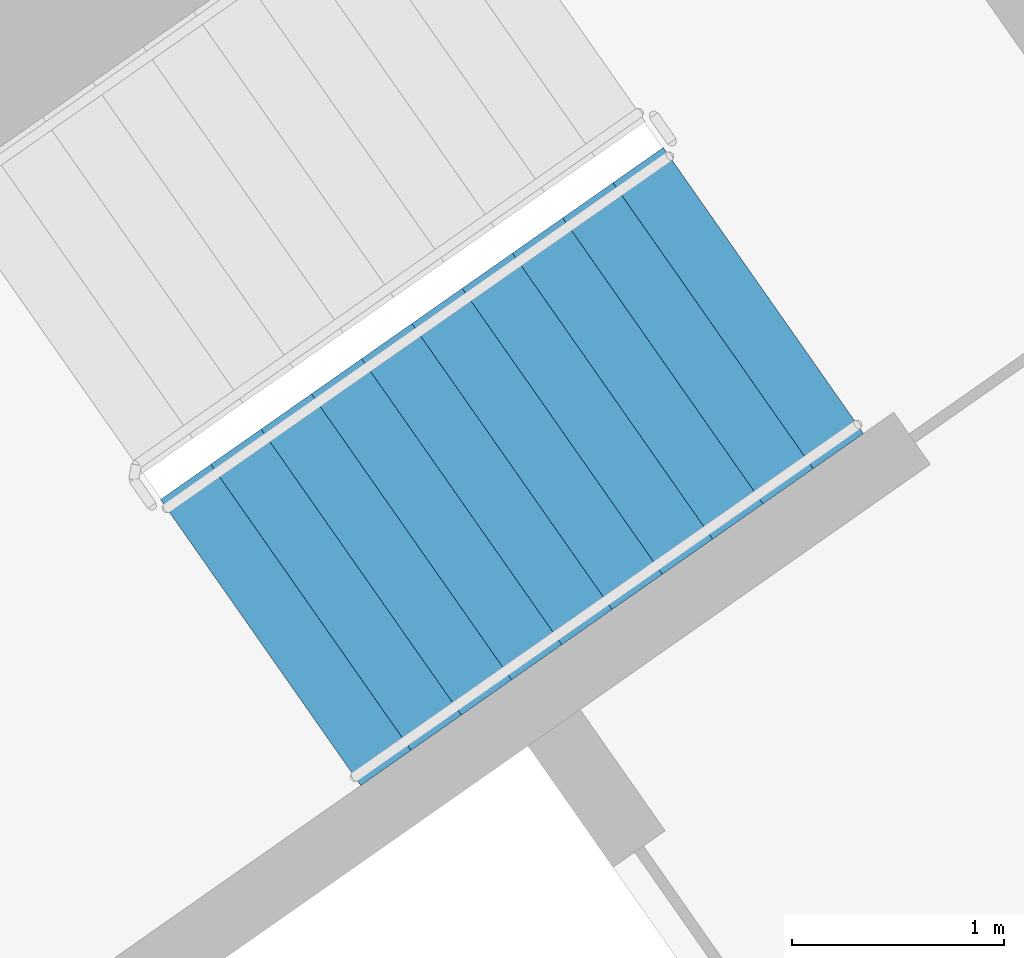
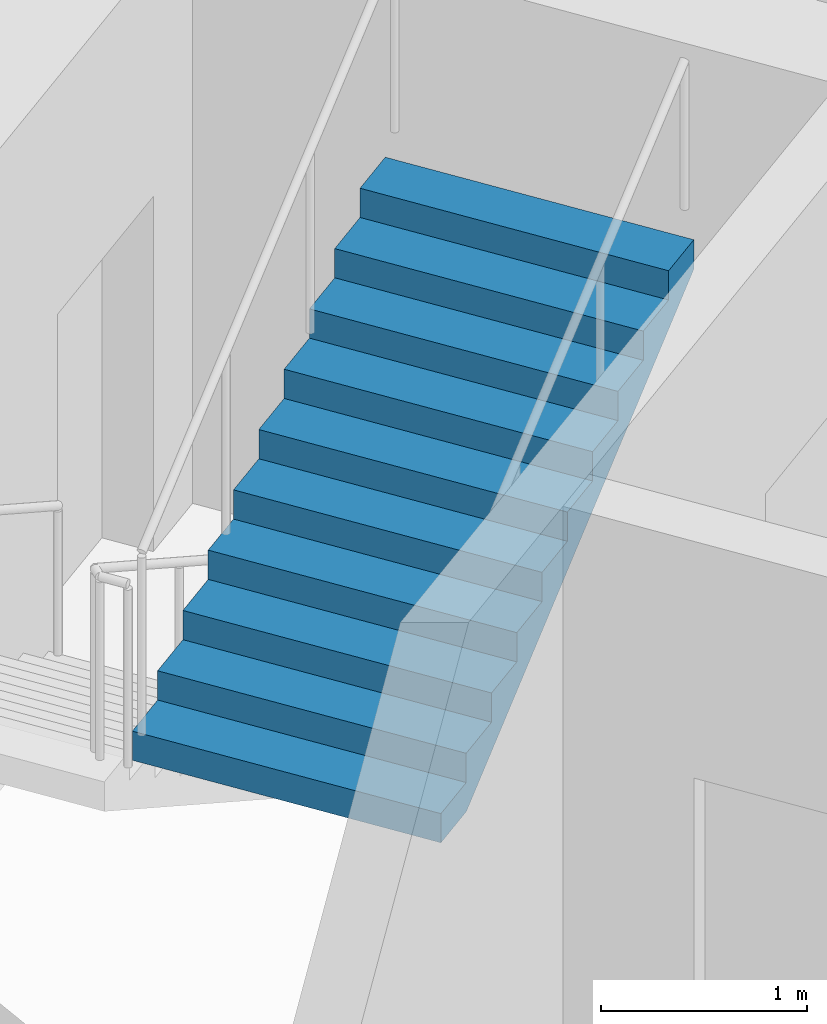
# One storey, part 15 of 27: 1 stair flight, 1 element without a shape of its own.
"""IFC4 building model written with IfcOpenShell, lengths in metres."""

from ifc_helpers import new_model, si_unit, direction, frame, origin, place, context, subcontext, project, spatial, faceted_brep, material, type_object, element, aggregate, save


model = new_model("IFC4")

# Units and contexts
model_context = context("Model", 3, precision=1e-05, world=origin(), true_north=direction((0.0, 1.0)))
body_context = subcontext(model_context, "Body", "Model", "MODEL_VIEW")
ifc_project = project(units=[si_unit("LENGTHUNIT", "METRE"), si_unit("AREAUNIT", "SQUARE_METRE"), si_unit("VOLUMEUNIT", "CUBIC_METRE"), si_unit("PLANEANGLEUNIT", "RADIAN"), si_unit("MASSUNIT", "GRAM", prefix="KILO")], contexts=[model_context])

# Site, building, storey
site_placement = place(None, origin())
site = spatial("IfcSite", under=ifc_project, at=site_placement, CompositionType="ELEMENT")
building_placement = place(site_placement, origin())
building = spatial("IfcBuilding", under=site, at=building_placement, Name="Qamariyya Broadcast Tower", CompositionType="ELEMENT")
storey_placement = place(building_placement, frame((0.0, 0.0, 191.10009765625)))
storey = spatial("IfcBuildingStorey", under=building, at=storey_placement, Name="L45", CompositionType="ELEMENT", Elevation=191.10009765625)

# Stair, stair flight
ifc_material = material(Name="Concrete C50/60", Category="concrete")
stair_type = type_object("IfcStairType", Name="Exit stair 22 risers of 173 mm", PredefinedType="HALF_TURN_STAIR", material=ifc_material)
stair_placement = place(storey_placement, origin())
stair = element("IfcStair", 1, at=stair_placement, inside=storey, type_object=stair_type, Name="L45 Stair E2", PredefinedType="HALF_TURN_STAIR")
stair_flight_type = type_object("IfcStairFlightType", Name="Exit stair flight 11 risers of 173 mm", PredefinedType="STRAIGHT", material=ifc_material)
stair_flight_placement = place(storey_placement, frame((39.215576171875, -50.822998046875, 1.89990234375), z_axis=(0.0, 0.0, 1.0), x_axis=(0.819152044289, 0.573576436351, 0.0)))
stair_flight = element("IfcStairFlight", 2, at=stair_flight_placement, type_object=stair_flight_type, Name="ST-E2 flight 2", NumberOfRisers=11, NumberOfTreads=10, PredefinedType="STRAIGHT", RiserHeight=0.172727273, TreadLength=0.29, context=body_context, shape_type="Brep", body=[
    faceted_brep([(0.0, 0.824951171875, 0.0), (0.0, 0.824951171875, 0.172607421875), (0.2900390625, 0.824951171875, 0.172607421875), (0.2900390625, 0.824951171875, 0.345458984375), (0.580078125, 0.824951171875, 0.345458984375), (0.580078125, 0.824951171875, 0.51806640625), (0.8701171875, 0.824951171875, 0.51806640625), (0.8701171875, 0.824951171875, 0.69091796875), (1.159912109375, 0.824951171875, 0.69091796875), (1.159912109375, 0.824951171875, 0.863525390625), (1.449951171875, 0.824951171875, 0.863525390625), (1.449951171875, 0.824951171875, 1.036376953125), (1.739990234375, 0.824951171875, 1.036376953125), (1.739990234375, 0.824951171875, 1.208984375), (2.030029296875, 0.824951171875, 1.208984375), (2.030029296875, 0.824951171875, 1.3818359375), (2.320068359375, 0.824951171875, 1.3818359375), (2.320068359375, 0.824951171875, 1.554443359375), (2.610107421875, 0.824951171875, 1.554443359375), (2.610107421875, 0.824951171875, 1.727294921875), (2.89990234375, 0.824951171875, 1.727294921875), (2.89990234375, 0.824951171875, 1.552734375), (0.29296875, 0.824951171875, 0.0), (0.29296875, -0.824951171875, 0.0), (2.89990234375, -0.824951171875, 1.552734375), (2.89990234375, -0.824951171875, 1.727294921875), (2.610107421875, -0.824951171875, 1.727294921875), (2.610107421875, -0.824951171875, 1.554443359375), (2.320068359375, -0.824951171875, 1.554443359375), (2.320068359375, -0.824951171875, 1.3818359375), (2.030029296875, -0.824951171875, 1.3818359375), (2.030029296875, -0.824951171875, 1.208984375), (1.739990234375, -0.824951171875, 1.208984375), (1.739990234375, -0.824951171875, 1.036376953125), (1.449951171875, -0.824951171875, 1.036376953125), (1.449951171875, -0.824951171875, 0.863525390625), (1.159912109375, -0.824951171875, 0.863525390625), (1.159912109375, -0.824951171875, 0.69091796875), (0.8701171875, -0.824951171875, 0.69091796875), (0.8701171875, -0.824951171875, 0.51806640625), (0.580078125, -0.824951171875, 0.51806640625), (0.580078125, -0.824951171875, 0.345458984375), (0.2900390625, -0.824951171875, 0.345458984375), (0.2900390625, -0.824951171875, 0.172607421875), (0.0, -0.824951171875, 0.172607421875), (0.0, -0.824951171875, 0.0), (0.0, 0.10009765625, 0.0), (0.0, 0.086669921875, 0.0), (0.0, 0.0732421875, 0.0), (0.0, 0.06005859375, 0.0), (0.0, 0.046630859375, 0.0), (0.0, 0.033447265625, 0.0), (0.0, 0.02001953125, 0.0), (0.0, 0.006591796875, 0.0), (0.0, -0.006591796875, 0.0), (0.0, -0.02001953125, 0.0), (0.0, -0.033447265625, 0.0), (0.0, -0.046630859375, 0.0), (0.0, -0.06005859375, 0.0), (0.0, -0.0732421875, 0.0), (0.0, -0.086669921875, 0.0), (0.0, -0.10009765625, 0.0), (0.0, -0.10009765625, 0.172607421875), (0.0, -0.086669921875, 0.172607421875), (0.0, -0.0732421875, 0.172607421875), (0.0, -0.06005859375, 0.172607421875), (0.0, -0.046630859375, 0.172607421875), (0.0, -0.033447265625, 0.172607421875), (0.0, -0.02001953125, 0.172607421875), (0.0, -0.006591796875, 0.172607421875), (0.0, 0.006591796875, 0.172607421875), (0.0, 0.02001953125, 0.172607421875), (0.0, 0.033447265625, 0.172607421875), (0.0, 0.046630859375, 0.172607421875), (0.0, 0.06005859375, 0.172607421875), (0.0, 0.0732421875, 0.172607421875), (0.0, 0.086669921875, 0.172607421875), (0.0, 0.10009765625, 0.172607421875), (0.2900390625, -0.10009765625, 0.172607421875), (0.2900390625, -0.086669921875, 0.172607421875), (0.2900390625, -0.0732421875, 0.172607421875), (0.2900390625, -0.06005859375, 0.172607421875), (0.2900390625, -0.046630859375, 0.172607421875), (0.2900390625, -0.033447265625, 0.172607421875), (0.2900390625, -0.02001953125, 0.172607421875), (0.2900390625, -0.006591796875, 0.172607421875), (0.2900390625, 0.006591796875, 0.172607421875), (0.2900390625, 0.02001953125, 0.172607421875), (0.2900390625, 0.033447265625, 0.172607421875), (0.2900390625, 0.046630859375, 0.172607421875), (0.2900390625, 0.06005859375, 0.172607421875), (0.2900390625, 0.0732421875, 0.172607421875), (0.2900390625, 0.086669921875, 0.172607421875), (0.2900390625, 0.10009765625, 0.172607421875), (0.2900390625, -0.10009765625, 0.345458984375), (0.2900390625, -0.086669921875, 0.345458984375), (0.2900390625, -0.0732421875, 0.345458984375), (0.2900390625, -0.06005859375, 0.345458984375), (0.2900390625, -0.046630859375, 0.345458984375), (0.2900390625, -0.033447265625, 0.345458984375), (0.2900390625, -0.02001953125, 0.345458984375), (0.2900390625, -0.006591796875, 0.345458984375), (0.2900390625, 0.006591796875, 0.345458984375), (0.2900390625, 0.02001953125, 0.345458984375), (0.2900390625, 0.033447265625, 0.345458984375), (0.2900390625, 0.046630859375, 0.345458984375), (0.2900390625, 0.06005859375, 0.345458984375), (0.2900390625, 0.0732421875, 0.345458984375), (0.2900390625, 0.086669921875, 0.345458984375), (0.2900390625, 0.10009765625, 0.345458984375), (0.580078125, -0.10009765625, 0.345458984375), (0.580078125, -0.086669921875, 0.345458984375), (0.580078125, -0.0732421875, 0.345458984375), (0.580078125, -0.06005859375, 0.345458984375), (0.580078125, -0.046630859375, 0.345458984375), (0.580078125, -0.033447265625, 0.345458984375), (0.580078125, -0.02001953125, 0.345458984375), (0.580078125, -0.006591796875, 0.345458984375), (0.580078125, 0.006591796875, 0.345458984375), (0.580078125, 0.02001953125, 0.345458984375), (0.580078125, 0.033447265625, 0.345458984375), (0.580078125, 0.046630859375, 0.345458984375), (0.580078125, 0.06005859375, 0.345458984375), (0.580078125, 0.0732421875, 0.345458984375), (0.580078125, 0.086669921875, 0.345458984375), (0.580078125, 0.10009765625, 0.345458984375), (0.580078125, -0.10009765625, 0.51806640625), (0.580078125, -0.086669921875, 0.51806640625), (0.580078125, -0.0732421875, 0.51806640625), (0.580078125, -0.06005859375, 0.51806640625), (0.580078125, -0.046630859375, 0.51806640625), (0.580078125, -0.033447265625, 0.51806640625), (0.580078125, -0.02001953125, 0.51806640625), (0.580078125, -0.006591796875, 0.51806640625), (0.580078125, 0.006591796875, 0.51806640625), (0.580078125, 0.02001953125, 0.51806640625), (0.580078125, 0.033447265625, 0.51806640625), (0.580078125, 0.046630859375, 0.51806640625), (0.580078125, 0.06005859375, 0.51806640625), (0.580078125, 0.0732421875, 0.51806640625), (0.580078125, 0.086669921875, 0.51806640625), (0.580078125, 0.10009765625, 0.51806640625), (0.8701171875, -0.10009765625, 0.51806640625), (0.8701171875, -0.086669921875, 0.51806640625), (0.8701171875, -0.0732421875, 0.51806640625), (0.8701171875, -0.06005859375, 0.51806640625), (0.8701171875, -0.046630859375, 0.51806640625), (0.8701171875, -0.033447265625, 0.51806640625), (0.8701171875, -0.02001953125, 0.51806640625), (0.8701171875, -0.006591796875, 0.51806640625), (0.8701171875, 0.006591796875, 0.51806640625), (0.8701171875, 0.02001953125, 0.51806640625), (0.8701171875, 0.033447265625, 0.51806640625), (0.8701171875, 0.046630859375, 0.51806640625), (0.8701171875, 0.06005859375, 0.51806640625), (0.8701171875, 0.0732421875, 0.51806640625), (0.8701171875, 0.086669921875, 0.51806640625), (0.8701171875, 0.10009765625, 0.51806640625), (0.8701171875, -0.10009765625, 0.69091796875), (0.8701171875, -0.086669921875, 0.69091796875), (0.8701171875, -0.0732421875, 0.69091796875), (0.8701171875, -0.06005859375, 0.69091796875), (0.8701171875, -0.046630859375, 0.69091796875), (0.8701171875, -0.033447265625, 0.69091796875), (0.8701171875, -0.02001953125, 0.69091796875), (0.8701171875, -0.006591796875, 0.69091796875), (0.8701171875, 0.006591796875, 0.69091796875), (0.8701171875, 0.02001953125, 0.69091796875), (0.8701171875, 0.033447265625, 0.69091796875), (0.8701171875, 0.046630859375, 0.69091796875), (0.8701171875, 0.06005859375, 0.69091796875), (0.8701171875, 0.0732421875, 0.69091796875), (0.8701171875, 0.086669921875, 0.69091796875), (0.8701171875, 0.10009765625, 0.69091796875), (1.159912109375, -0.10009765625, 0.69091796875), (1.159912109375, -0.086669921875, 0.69091796875), (1.159912109375, -0.0732421875, 0.69091796875), (1.159912109375, -0.06005859375, 0.69091796875), (1.159912109375, -0.046630859375, 0.69091796875), (1.159912109375, -0.033447265625, 0.69091796875), (1.159912109375, -0.02001953125, 0.69091796875), (1.159912109375, -0.006591796875, 0.69091796875), (1.159912109375, 0.006591796875, 0.69091796875), (1.159912109375, 0.02001953125, 0.69091796875), (1.159912109375, 0.033447265625, 0.69091796875), (1.159912109375, 0.046630859375, 0.69091796875), (1.159912109375, 0.06005859375, 0.69091796875), (1.159912109375, 0.0732421875, 0.69091796875), (1.159912109375, 0.086669921875, 0.69091796875), (1.159912109375, 0.10009765625, 0.69091796875), (1.159912109375, -0.10009765625, 0.863525390625), (1.159912109375, -0.086669921875, 0.863525390625), (1.159912109375, -0.0732421875, 0.863525390625), (1.159912109375, -0.06005859375, 0.863525390625), (1.159912109375, -0.046630859375, 0.863525390625), (1.159912109375, -0.033447265625, 0.863525390625), (1.159912109375, -0.02001953125, 0.863525390625), (1.159912109375, -0.006591796875, 0.863525390625), (1.159912109375, 0.006591796875, 0.863525390625), (1.159912109375, 0.02001953125, 0.863525390625), (1.159912109375, 0.033447265625, 0.863525390625), (1.159912109375, 0.046630859375, 0.863525390625), (1.159912109375, 0.06005859375, 0.863525390625), (1.159912109375, 0.0732421875, 0.863525390625), (1.159912109375, 0.086669921875, 0.863525390625), (1.159912109375, 0.10009765625, 0.863525390625), (1.449951171875, -0.10009765625, 0.863525390625), (1.449951171875, -0.086669921875, 0.863525390625), (1.449951171875, -0.0732421875, 0.863525390625), (1.449951171875, -0.06005859375, 0.863525390625), (1.449951171875, -0.046630859375, 0.863525390625), (1.449951171875, -0.033447265625, 0.863525390625), (1.449951171875, -0.02001953125, 0.863525390625), (1.449951171875, -0.006591796875, 0.863525390625), (1.449951171875, 0.006591796875, 0.863525390625), (1.449951171875, 0.02001953125, 0.863525390625), (1.449951171875, 0.033447265625, 0.863525390625), (1.449951171875, 0.046630859375, 0.863525390625), (1.449951171875, 0.06005859375, 0.863525390625), (1.449951171875, 0.0732421875, 0.863525390625), (1.449951171875, 0.086669921875, 0.863525390625), (1.449951171875, 0.10009765625, 0.863525390625), (1.449951171875, -0.10009765625, 1.036376953125), (1.449951171875, -0.086669921875, 1.036376953125), (1.449951171875, -0.0732421875, 1.036376953125), (1.449951171875, -0.06005859375, 1.036376953125), (1.449951171875, -0.046630859375, 1.036376953125), (1.449951171875, -0.033447265625, 1.036376953125), (1.449951171875, -0.02001953125, 1.036376953125), (1.449951171875, -0.006591796875, 1.036376953125), (1.449951171875, 0.006591796875, 1.036376953125), (1.449951171875, 0.02001953125, 1.036376953125), (1.449951171875, 0.033447265625, 1.036376953125), (1.449951171875, 0.046630859375, 1.036376953125), (1.449951171875, 0.06005859375, 1.036376953125), (1.449951171875, 0.0732421875, 1.036376953125), (1.449951171875, 0.086669921875, 1.036376953125), (1.449951171875, 0.10009765625, 1.036376953125), (1.739990234375, -0.10009765625, 1.036376953125), (1.739990234375, -0.086669921875, 1.036376953125), (1.739990234375, -0.0732421875, 1.036376953125), (1.739990234375, -0.06005859375, 1.036376953125), (1.739990234375, -0.046630859375, 1.036376953125), (1.739990234375, -0.033447265625, 1.036376953125), (1.739990234375, -0.02001953125, 1.036376953125), (1.739990234375, -0.006591796875, 1.036376953125), (1.739990234375, 0.006591796875, 1.036376953125), (1.739990234375, 0.02001953125, 1.036376953125), (1.739990234375, 0.033447265625, 1.036376953125), (1.739990234375, 0.046630859375, 1.036376953125), (1.739990234375, 0.06005859375, 1.036376953125), (1.739990234375, 0.0732421875, 1.036376953125), (1.739990234375, 0.086669921875, 1.036376953125), (1.739990234375, 0.10009765625, 1.036376953125), (1.739990234375, -0.10009765625, 1.208984375), (1.739990234375, -0.086669921875, 1.208984375), (1.739990234375, -0.0732421875, 1.208984375), (1.739990234375, -0.06005859375, 1.208984375), (1.739990234375, -0.046630859375, 1.208984375), (1.739990234375, -0.033447265625, 1.208984375), (1.739990234375, -0.02001953125, 1.208984375), (1.739990234375, -0.006591796875, 1.208984375), (1.739990234375, 0.006591796875, 1.208984375), (1.739990234375, 0.02001953125, 1.208984375), (1.739990234375, 0.033447265625, 1.208984375), (1.739990234375, 0.046630859375, 1.208984375), (1.739990234375, 0.06005859375, 1.208984375), (1.739990234375, 0.0732421875, 1.208984375), (1.739990234375, 0.086669921875, 1.208984375), (1.739990234375, 0.10009765625, 1.208984375), (2.030029296875, -0.10009765625, 1.208984375), (2.030029296875, -0.086669921875, 1.208984375), (2.030029296875, -0.0732421875, 1.208984375), (2.030029296875, -0.06005859375, 1.208984375), (2.030029296875, -0.046630859375, 1.208984375), (2.030029296875, -0.033447265625, 1.208984375), (2.030029296875, -0.02001953125, 1.208984375), (2.030029296875, -0.006591796875, 1.208984375), (2.030029296875, 0.006591796875, 1.208984375), (2.030029296875, 0.02001953125, 1.208984375), (2.030029296875, 0.033447265625, 1.208984375), (2.030029296875, 0.046630859375, 1.208984375), (2.030029296875, 0.06005859375, 1.208984375), (2.030029296875, 0.0732421875, 1.208984375), (2.030029296875, 0.086669921875, 1.208984375), (2.030029296875, 0.10009765625, 1.208984375), (2.030029296875, -0.10009765625, 1.3818359375), (2.030029296875, -0.086669921875, 1.3818359375), (2.030029296875, -0.0732421875, 1.3818359375), (2.030029296875, -0.06005859375, 1.3818359375), (2.030029296875, -0.046630859375, 1.3818359375), (2.030029296875, -0.033447265625, 1.3818359375), (2.030029296875, -0.02001953125, 1.3818359375), (2.030029296875, -0.006591796875, 1.3818359375), (2.030029296875, 0.006591796875, 1.3818359375), (2.030029296875, 0.02001953125, 1.3818359375), (2.030029296875, 0.033447265625, 1.3818359375), (2.030029296875, 0.046630859375, 1.3818359375), (2.030029296875, 0.06005859375, 1.3818359375), (2.030029296875, 0.0732421875, 1.3818359375), (2.030029296875, 0.086669921875, 1.3818359375), (2.030029296875, 0.10009765625, 1.3818359375), (2.320068359375, -0.10009765625, 1.3818359375), (2.320068359375, -0.086669921875, 1.3818359375), (2.320068359375, -0.0732421875, 1.3818359375), (2.320068359375, -0.06005859375, 1.3818359375), (2.320068359375, -0.046630859375, 1.3818359375), (2.320068359375, -0.033447265625, 1.3818359375), (2.320068359375, -0.02001953125, 1.3818359375), (2.320068359375, -0.006591796875, 1.3818359375), (2.320068359375, 0.006591796875, 1.3818359375), (2.320068359375, 0.02001953125, 1.3818359375), (2.320068359375, 0.033447265625, 1.3818359375), (2.320068359375, 0.046630859375, 1.3818359375), (2.320068359375, 0.06005859375, 1.3818359375), (2.320068359375, 0.0732421875, 1.3818359375), (2.320068359375, 0.086669921875, 1.3818359375), (2.320068359375, 0.10009765625, 1.3818359375), (2.320068359375, -0.10009765625, 1.554443359375), (2.320068359375, -0.086669921875, 1.554443359375), (2.320068359375, -0.0732421875, 1.554443359375), (2.320068359375, -0.06005859375, 1.554443359375), (2.320068359375, -0.046630859375, 1.554443359375), (2.320068359375, -0.033447265625, 1.554443359375), (2.320068359375, -0.02001953125, 1.554443359375), (2.320068359375, -0.006591796875, 1.554443359375), (2.320068359375, 0.006591796875, 1.554443359375), (2.320068359375, 0.02001953125, 1.554443359375), (2.320068359375, 0.033447265625, 1.554443359375), (2.320068359375, 0.046630859375, 1.554443359375), (2.320068359375, 0.06005859375, 1.554443359375), (2.320068359375, 0.0732421875, 1.554443359375), (2.320068359375, 0.086669921875, 1.554443359375), (2.320068359375, 0.10009765625, 1.554443359375), (2.610107421875, -0.10009765625, 1.554443359375), (2.610107421875, -0.086669921875, 1.554443359375), (2.610107421875, -0.0732421875, 1.554443359375), (2.610107421875, -0.06005859375, 1.554443359375), (2.610107421875, -0.046630859375, 1.554443359375), (2.610107421875, -0.033447265625, 1.554443359375), (2.610107421875, -0.02001953125, 1.554443359375), (2.610107421875, -0.006591796875, 1.554443359375), (2.610107421875, 0.006591796875, 1.554443359375), (2.610107421875, 0.02001953125, 1.554443359375), (2.610107421875, 0.033447265625, 1.554443359375), (2.610107421875, 0.046630859375, 1.554443359375), (2.610107421875, 0.06005859375, 1.554443359375), (2.610107421875, 0.0732421875, 1.554443359375), (2.610107421875, 0.086669921875, 1.554443359375), (2.610107421875, 0.10009765625, 1.554443359375), (2.610107421875, -0.10009765625, 1.727294921875), (2.610107421875, -0.086669921875, 1.727294921875), (2.610107421875, -0.0732421875, 1.727294921875), (2.610107421875, -0.06005859375, 1.727294921875), (2.610107421875, -0.046630859375, 1.727294921875), (2.610107421875, -0.033447265625, 1.727294921875), (2.610107421875, -0.02001953125, 1.727294921875), (2.610107421875, -0.006591796875, 1.727294921875), (2.610107421875, 0.006591796875, 1.727294921875), (2.610107421875, 0.02001953125, 1.727294921875), (2.610107421875, 0.033447265625, 1.727294921875), (2.610107421875, 0.046630859375, 1.727294921875), (2.610107421875, 0.06005859375, 1.727294921875), (2.610107421875, 0.0732421875, 1.727294921875), (2.610107421875, 0.086669921875, 1.727294921875), (2.610107421875, 0.10009765625, 1.727294921875), (2.89990234375, -0.10009765625, 1.727294921875), (2.89990234375, -0.086669921875, 1.727294921875), (2.89990234375, -0.0732421875, 1.727294921875), (2.89990234375, -0.06005859375, 1.727294921875), (2.89990234375, -0.046630859375, 1.727294921875), (2.89990234375, -0.033447265625, 1.727294921875), (2.89990234375, -0.02001953125, 1.727294921875), (2.89990234375, -0.006591796875, 1.727294921875), (2.89990234375, 0.006591796875, 1.727294921875), (2.89990234375, 0.02001953125, 1.727294921875), (2.89990234375, 0.033447265625, 1.727294921875), (2.89990234375, 0.046630859375, 1.727294921875), (2.89990234375, 0.06005859375, 1.727294921875), (2.89990234375, 0.0732421875, 1.727294921875), (2.89990234375, 0.086669921875, 1.727294921875), (2.89990234375, 0.10009765625, 1.727294921875), (2.89990234375, -0.10009765625, 1.552734375), (2.89990234375, -0.086669921875, 1.552734375), (2.89990234375, -0.0732421875, 1.552734375), (2.89990234375, -0.06005859375, 1.552734375), (2.89990234375, -0.046630859375, 1.552734375), (2.89990234375, -0.033447265625, 1.552734375), (2.89990234375, -0.02001953125, 1.552734375), (2.89990234375, -0.006591796875, 1.552734375), (2.89990234375, 0.006591796875, 1.552734375), (2.89990234375, 0.02001953125, 1.552734375), (2.89990234375, 0.033447265625, 1.552734375), (2.89990234375, 0.046630859375, 1.552734375), (2.89990234375, 0.06005859375, 1.552734375), (2.89990234375, 0.0732421875, 1.552734375), (2.89990234375, 0.086669921875, 1.552734375), (2.89990234375, 0.10009765625, 1.552734375), (0.29296875, -0.10009765625, 0.0), (0.29296875, -0.086669921875, 0.0), (0.29296875, -0.0732421875, 0.0), (0.29296875, -0.06005859375, 0.0), (0.29296875, -0.046630859375, 0.0), (0.29296875, -0.033447265625, 0.0), (0.29296875, -0.02001953125, 0.0), (0.29296875, -0.006591796875, 0.0), (0.29296875, 0.006591796875, 0.0), (0.29296875, 0.02001953125, 0.0), (0.29296875, 0.033447265625, 0.0), (0.29296875, 0.046630859375, 0.0), (0.29296875, 0.06005859375, 0.0), (0.29296875, 0.0732421875, 0.0), (0.29296875, 0.086669921875, 0.0), (0.29296875, 0.10009765625, 0.0)], [[[0, 1, 2, 3, 4, 5, 6, 7, 8, 9, 10, 11, 12, 13, 14, 15, 16, 17, 18, 19, 20, 21, 22]], [[23, 24, 25, 26, 27, 28, 29, 30, 31, 32, 33, 34, 35, 36, 37, 38, 39, 40, 41, 42, 43, 44, 45]], [[0, 46, 47, 48, 49, 50, 51, 52, 53, 54, 55, 56, 57, 58, 59, 60, 61, 45, 44, 62, 63, 64, 65, 66, 67, 68, 69, 70, 71, 72, 73, 74, 75, 76, 77, 1]], [[1, 77, 76, 75, 74, 73, 72, 71, 70, 69, 68, 67, 66, 65, 64, 63, 62, 44, 43, 78, 79, 80, 81, 82, 83, 84, 85, 86, 87, 88, 89, 90, 91, 92, 93, 2]], [[2, 93, 92, 91, 90, 89, 88, 87, 86, 85, 84, 83, 82, 81, 80, 79, 78, 43, 42, 94, 95, 96, 97, 98, 99, 100, 101, 102, 103, 104, 105, 106, 107, 108, 109, 3]], [[3, 109, 108, 107, 106, 105, 104, 103, 102, 101, 100, 99, 98, 97, 96, 95, 94, 42, 41, 110, 111, 112, 113, 114, 115, 116, 117, 118, 119, 120, 121, 122, 123, 124, 125, 4]], [[4, 125, 124, 123, 122, 121, 120, 119, 118, 117, 116, 115, 114, 113, 112, 111, 110, 41, 40, 126, 127, 128, 129, 130, 131, 132, 133, 134, 135, 136, 137, 138, 139, 140, 141, 5]], [[5, 141, 140, 139, 138, 137, 136, 135, 134, 133, 132, 131, 130, 129, 128, 127, 126, 40, 39, 142, 143, 144, 145, 146, 147, 148, 149, 150, 151, 152, 153, 154, 155, 156, 157, 6]], [[6, 157, 156, 155, 154, 153, 152, 151, 150, 149, 148, 147, 146, 145, 144, 143, 142, 39, 38, 158, 159, 160, 161, 162, 163, 164, 165, 166, 167, 168, 169, 170, 171, 172, 173, 7]], [[7, 173, 172, 171, 170, 169, 168, 167, 166, 165, 164, 163, 162, 161, 160, 159, 158, 38, 37, 174, 175, 176, 177, 178, 179, 180, 181, 182, 183, 184, 185, 186, 187, 188, 189, 8]], [[8, 189, 188, 187, 186, 185, 184, 183, 182, 181, 180, 179, 178, 177, 176, 175, 174, 37, 36, 190, 191, 192, 193, 194, 195, 196, 197, 198, 199, 200, 201, 202, 203, 204, 205, 9]], [[9, 205, 204, 203, 202, 201, 200, 199, 198, 197, 196, 195, 194, 193, 192, 191, 190, 36, 35, 206, 207, 208, 209, 210, 211, 212, 213, 214, 215, 216, 217, 218, 219, 220, 221, 10]], [[10, 221, 220, 219, 218, 217, 216, 215, 214, 213, 212, 211, 210, 209, 208, 207, 206, 35, 34, 222, 223, 224, 225, 226, 227, 228, 229, 230, 231, 232, 233, 234, 235, 236, 237, 11]], [[11, 237, 236, 235, 234, 233, 232, 231, 230, 229, 228, 227, 226, 225, 224, 223, 222, 34, 33, 238, 239, 240, 241, 242, 243, 244, 245, 246, 247, 248, 249, 250, 251, 252, 253, 12]], [[12, 253, 252, 251, 250, 249, 248, 247, 246, 245, 244, 243, 242, 241, 240, 239, 238, 33, 32, 254, 255, 256, 257, 258, 259, 260, 261, 262, 263, 264, 265, 266, 267, 268, 269, 13]], [[13, 269, 268, 267, 266, 265, 264, 263, 262, 261, 260, 259, 258, 257, 256, 255, 254, 32, 31, 270, 271, 272, 273, 274, 275, 276, 277, 278, 279, 280, 281, 282, 283, 284, 285, 14]], [[14, 285, 284, 283, 282, 281, 280, 279, 278, 277, 276, 275, 274, 273, 272, 271, 270, 31, 30, 286, 287, 288, 289, 290, 291, 292, 293, 294, 295, 296, 297, 298, 299, 300, 301, 15]], [[15, 301, 300, 299, 298, 297, 296, 295, 294, 293, 292, 291, 290, 289, 288, 287, 286, 30, 29, 302, 303, 304, 305, 306, 307, 308, 309, 310, 311, 312, 313, 314, 315, 316, 317, 16]], [[16, 317, 316, 315, 314, 313, 312, 311, 310, 309, 308, 307, 306, 305, 304, 303, 302, 29, 28, 318, 319, 320, 321, 322, 323, 324, 325, 326, 327, 328, 329, 330, 331, 332, 333, 17]], [[17, 333, 332, 331, 330, 329, 328, 327, 326, 325, 324, 323, 322, 321, 320, 319, 318, 28, 27, 334, 335, 336, 337, 338, 339, 340, 341, 342, 343, 344, 345, 346, 347, 348, 349, 18]], [[18, 349, 348, 347, 346, 345, 344, 343, 342, 341, 340, 339, 338, 337, 336, 335, 334, 27, 26, 350, 351, 352, 353, 354, 355, 356, 357, 358, 359, 360, 361, 362, 363, 364, 365, 19]], [[19, 365, 364, 363, 362, 361, 360, 359, 358, 357, 356, 355, 354, 353, 352, 351, 350, 26, 25, 366, 367, 368, 369, 370, 371, 372, 373, 374, 375, 376, 377, 378, 379, 380, 381, 20]], [[20, 381, 380, 379, 378, 377, 376, 375, 374, 373, 372, 371, 370, 369, 368, 367, 366, 25, 24, 382, 383, 384, 385, 386, 387, 388, 389, 390, 391, 392, 393, 394, 395, 396, 397, 21]], [[21, 397, 396, 395, 394, 393, 392, 391, 390, 389, 388, 387, 386, 385, 384, 383, 382, 24, 23, 398, 399, 400, 401, 402, 403, 404, 405, 406, 407, 408, 409, 410, 411, 412, 413, 22]], [[22, 413, 412, 411, 410, 409, 408, 407, 406, 405, 404, 403, 402, 401, 400, 399, 398, 23, 45, 61, 60, 59, 58, 57, 56, 55, 54, 53, 52, 51, 50, 49, 48, 47, 46, 0]]]),
])
aggregate(stair, [stair_flight])

save(model, "model.ifc")
